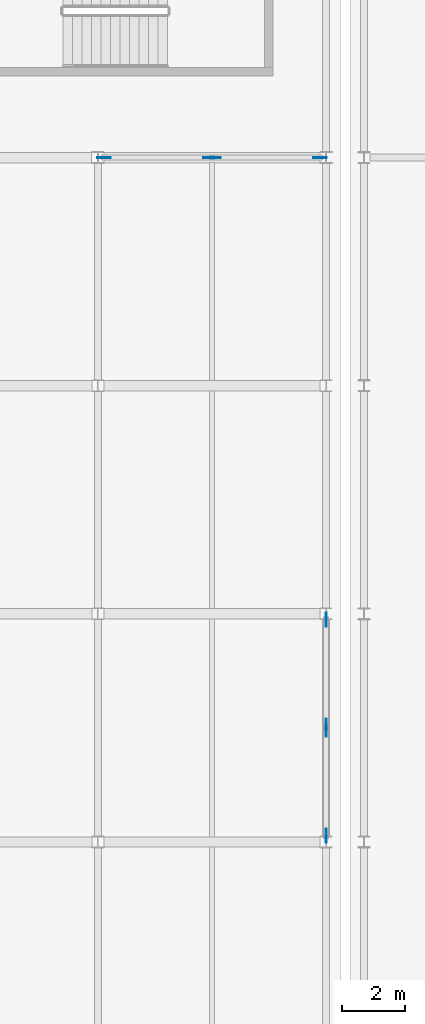
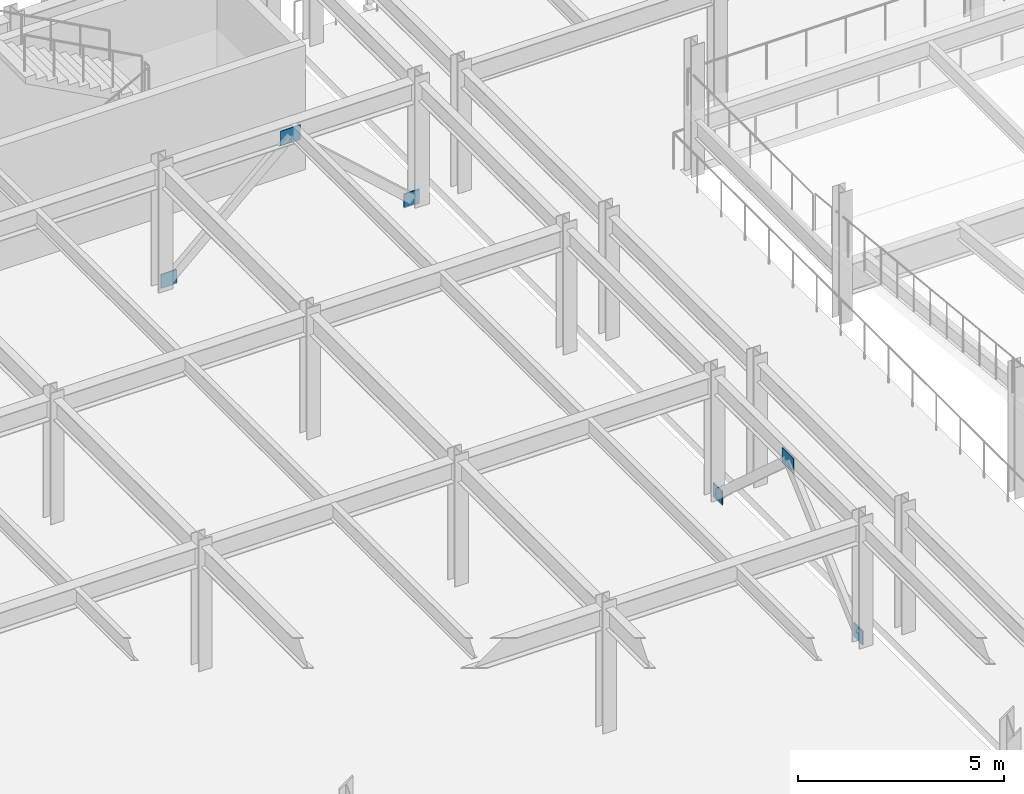
# One storey, part 49 of 80: 6 plates.
"""IFC4 building model written with IfcOpenShell, lengths in metres."""

from ifc_helpers import new_model, si_unit, direction, frame, origin, origin_2d, place, context, subcontext, project, spatial, rectangle, extrude, material, layer, layer_set, type_object, element, save


model = new_model("IFC4")

# Units and contexts
model_context = context("Model", 3, precision=1e-05, world=origin(), true_north=direction((0.0, 1.0)))
body_context = subcontext(model_context, "Body", "Model", "MODEL_VIEW")
ifc_project = project(units=[si_unit("LENGTHUNIT", "METRE"), si_unit("AREAUNIT", "SQUARE_METRE"), si_unit("VOLUMEUNIT", "CUBIC_METRE"), si_unit("PLANEANGLEUNIT", "RADIAN"), si_unit("MASSUNIT", "GRAM", prefix="KILO")], contexts=[model_context])

# Site, building, storey
site_placement = place(None, origin())
site = spatial("IfcSite", under=ifc_project, at=site_placement, CompositionType="ELEMENT")
building_placement = place(site_placement, origin())
building = spatial("IfcBuilding", under=site, at=building_placement, Name="Vaelcorin Mobility Hub", CompositionType="ELEMENT")
storey_placement = place(building_placement, frame((0.0, 0.0, 9.300048828125)))
storey = spatial("IfcBuildingStorey", under=building, at=storey_placement, Name="L02", CompositionType="ELEMENT", Elevation=9.300048828125)

# Plates
ifc_material = material(Name="Steel ASTM A572 Grade 50", Category="steel")
ifc_layer = layer(ifc_material, 0.030029296875)
ifc_layer_set = layer_set([ifc_layer], Name="Steel ASTM A572 Grade 50")
plate_type = type_object("IfcPlateType", Name="PL-GN2", PredefinedType="USERDEFINED", material=ifc_layer_set)
for number, where, z_axis, x_axis, name in (
    (1, (115.389892578125, 112.800048828125, -0.030029296875), (0.0, 0.0, 1.0), (1.0, 0.0, 0.0), "SCBF Gusset Plate GN2 V4-BX2-L02-A"),
    (2, (122.2099609375, 112.800048828125, -0.030029296875), (0.0, 0.0, 1.0), (1.0, 0.0, 0.0), "SCBF Gusset Plate GN2 V4-BX2-L02-B"),
):
    element("IfcPlate", number, at=place(storey_placement, frame(where, z_axis=z_axis, x_axis=x_axis)), inside=storey, type_object=plate_type, Name=name, ObjectType="GUSSET PLATE", PredefinedType="USERDEFINED", context=body_context, shape_type="SweptSolid", body=[
        extrude(rectangle(XDim=0.43994140625, YDim=0.030029296875, at=origin_2d()), origin(), (0.0, 0.0, 1.0), 0.419921875),
    ])
plate_1_placement = place(storey_placement, frame((118.800048828125, 112.800048828125, 3.030029296875), z_axis=(0.0, 0.0, 1.0), x_axis=(1.0, 0.0, 0.0)))
element("IfcPlate", 3, at=plate_1_placement, inside=storey, type_object=plate_type, Name="SCBF Apex Gusset GN2 V4-BX2-L02", ObjectType="GUSSET PLATE", PredefinedType="USERDEFINED", context=body_context, shape_type="SweptSolid", body=[
    extrude(rectangle(XDim=0.56005859375, YDim=0.030029296875, at=origin_2d()), origin(), (0.0, 0.0, 1.0), 0.43994140625),
])
for number, where, z_axis, x_axis, name in (
    (4, (122.39990234375, 91.389892578125, -0.030029296875), (0.0, 0.0, 1.0), (0.0, 1.0, 0.0), "SCBF Gusset Plate GN2 V4-BY2-L02-A"),
    (5, (122.39990234375, 98.2099609375, -0.030029296875), (0.0, 0.0, 1.0), (0.0, 1.0, 0.0), "SCBF Gusset Plate GN2 V4-BY2-L02-B"),
):
    element("IfcPlate", number, at=place(storey_placement, frame(where, z_axis=z_axis, x_axis=x_axis)), inside=storey, type_object=plate_type, Name=name, ObjectType="GUSSET PLATE", PredefinedType="USERDEFINED", context=body_context, shape_type="SweptSolid", body=[
        extrude(rectangle(XDim=0.43994140625, YDim=0.030029296875, at=origin_2d()), origin(), (0.0, 0.0, 1.0), 0.419921875),
    ])
plate_2_placement = place(storey_placement, frame((122.39990234375, 94.800048828125, 3.030029296875), z_axis=(0.0, 0.0, 1.0), x_axis=(0.0, 1.0, 0.0)))
element("IfcPlate", 6, at=plate_2_placement, inside=storey, type_object=plate_type, Name="SCBF Apex Gusset GN2 V4-BY2-L02", ObjectType="GUSSET PLATE", PredefinedType="USERDEFINED", context=body_context, shape_type="SweptSolid", body=[
    extrude(rectangle(XDim=0.56005859375, YDim=0.030029296875, at=origin_2d()), origin(), (0.0, 0.0, 1.0), 0.43994140625),
])

save(model, "model.ifc")
